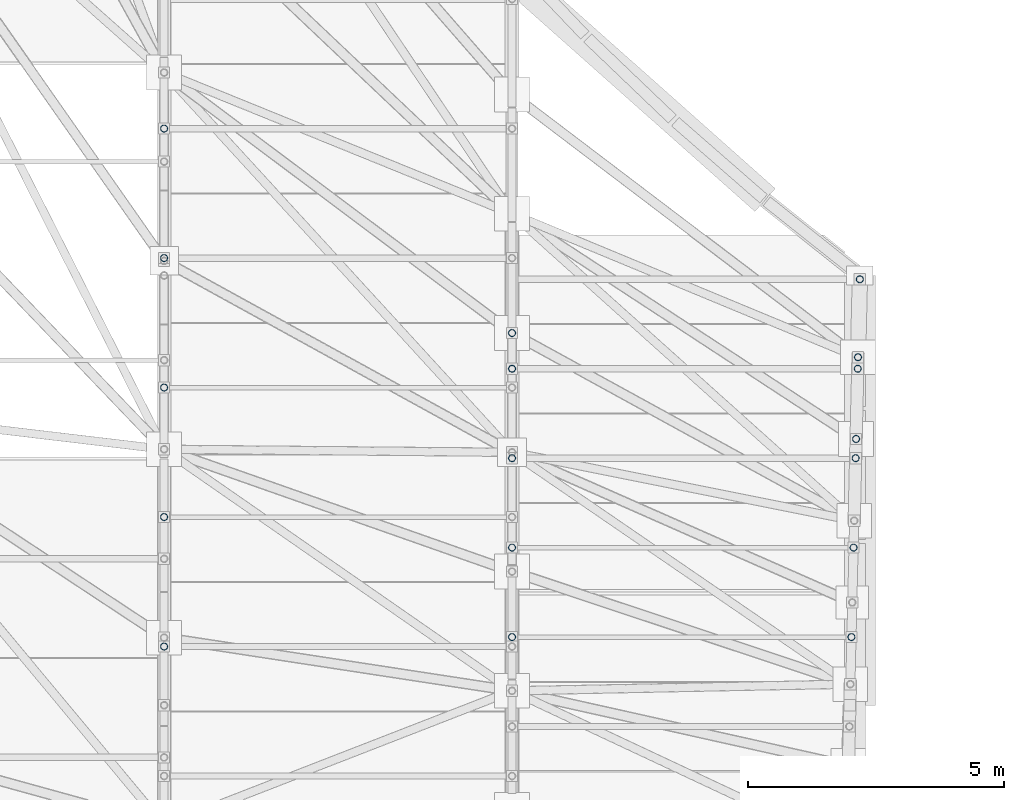
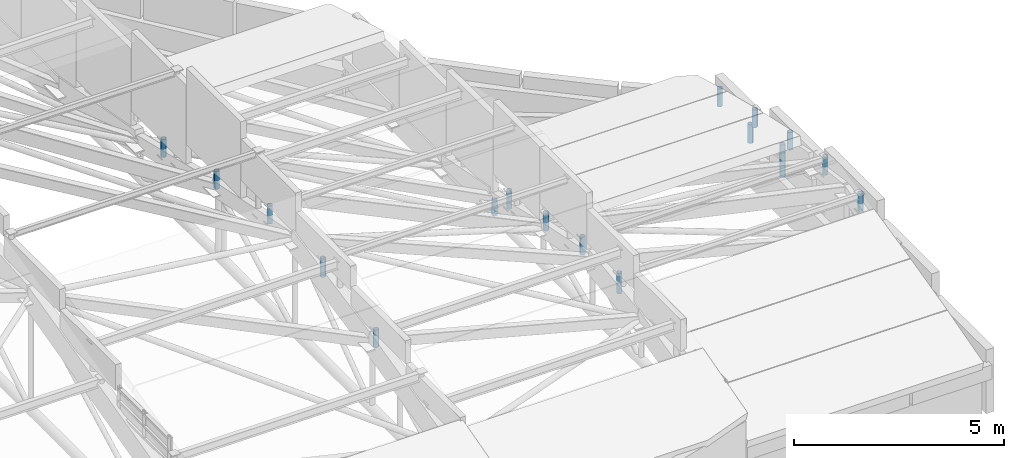
# One storey, part 133 of 188: 17 members.
"""IFC4 building model written with IfcOpenShell, lengths in metres."""

from ifc_helpers import new_model, si_unit, direction, frame, origin, origin_2d, place, context, subcontext, project, spatial, hollow_circle, extrude, material, material_profile, profile_set, type_object, element, save


model = new_model("IFC4")

# Units and contexts
model_context = context("Model", 3, precision=1e-05, world=origin(), true_north=direction((0.0, 1.0)))
body_context = subcontext(model_context, "Body", "Model", "MODEL_VIEW")
ifc_project = project(units=[si_unit("LENGTHUNIT", "METRE"), si_unit("AREAUNIT", "SQUARE_METRE"), si_unit("VOLUMEUNIT", "CUBIC_METRE"), si_unit("PLANEANGLEUNIT", "RADIAN"), si_unit("MASSUNIT", "GRAM", prefix="KILO")], contexts=[model_context])

# Site, building, storey
site_placement = place(None, origin())
site = spatial("IfcSite", under=ifc_project, at=site_placement, CompositionType="ELEMENT")
building_placement = place(site_placement, origin())
building = spatial("IfcBuilding", under=site, at=building_placement, Name="Kisaragi Civic Commons", CompositionType="ELEMENT")
storey_placement = place(building_placement, frame((0.0, 0.0, 9.60009765625)))
storey = spatial("IfcBuildingStorey", under=building, at=storey_placement, Name="L02", CompositionType="ELEMENT", Elevation=9.60009765625)

# Members
ifc_material = material(Name="Steel SN490 (SN490B)", Category="steel")
ifc_material_profile = material_profile(ifc_material, hollow_circle(Radius=0.06982421875, WallThickness=0.006103515625, at=origin_2d()), Name="CHS-139.8x6.0", Category="steel")
ifc_profile_set = profile_set([ifc_material_profile], Name="Steel SN490 (SN490B)")
member_type = type_object("IfcMemberType", Name="ST-H1", PredefinedType="STRUT", material=ifc_profile_set)
member_1_placement = place(storey_placement, frame((40.800048828125, 15.675048828125, -0.440673828125), z_axis=(0.0, 0.0, 1.0), x_axis=(1.0, 0.0, 0.0)))
element("IfcMember", 1, at=member_1_placement, inside=storey, type_object=member_type, Name="V1 arch tie hanger strut 87", PredefinedType="STRUT", context=body_context, shape_type="SweptSolid", body=[
    extrude(hollow_circle(Radius=0.06982421875, WallThickness=0.006103515625, at=origin_2d()), origin(), (0.0, 0.0, 1.0), 0.45068359375),
])
member_2_placement = place(storey_placement, frame((47.52490234375, 13.60498046875, -0.4111328125), z_axis=(0.0, 0.0, 1.0), x_axis=(1.0, 0.0, 0.0)))
element("IfcMember", 2, at=member_2_placement, inside=storey, type_object=member_type, Name="V1 arch tie hanger strut 98", PredefinedType="STRUT", context=body_context, shape_type="SweptSolid", body=[
    extrude(hollow_circle(Radius=0.06982421875, WallThickness=0.006103515625, at=origin_2d()), origin(), (0.0, 0.0, 1.0), 0.935302734375),
])
member_3_placement = place(storey_placement, frame((47.5625, 15.202392578125, -0.4111328125), z_axis=(0.0, 0.0, 1.0), x_axis=(1.0, 0.0, 0.0)))
element("IfcMember", 3, at=member_3_placement, inside=storey, type_object=member_type, Name="V1 arch tie hanger strut 99", PredefinedType="STRUT", context=body_context, shape_type="SweptSolid", body=[
    extrude(hollow_circle(Radius=0.06982421875, WallThickness=0.006103515625, at=origin_2d()), origin(), (0.0, 0.0, 1.0), 0.54248046875),
])
member_4_placement = place(storey_placement, frame((34.0, 9.547607421875, 1.830322265625), z_axis=(0.0, 0.0, 1.0), x_axis=(1.0, 0.0, 0.0)))
element("IfcMember", 4, at=member_4_placement, inside=storey, type_object=member_type, Name="V1 clerestory monitor horizontal tie strut 6.5.3", PredefinedType="STRUT", context=body_context, shape_type="SweptSolid", body=[
    extrude(hollow_circle(Radius=0.06982421875, WallThickness=0.006103515625, at=origin_2d()), origin(), (0.0, 0.0, 1.0), 0.514404296875),
])
member_5_placement = place(storey_placement, frame((34.0, 12.07861328125, 2.33984375), z_axis=(0.0, 0.0, 1.0), x_axis=(1.0, 0.0, 0.0)))
element("IfcMember", 5, at=member_5_placement, inside=storey, type_object=member_type, Name="V1 clerestory monitor horizontal tie strut 6.5.4", PredefinedType="STRUT", context=body_context, shape_type="SweptSolid", body=[
    extrude(hollow_circle(Radius=0.06982421875, WallThickness=0.006103515625, at=origin_2d()), origin(), (0.0, 0.0, 1.0), 0.537841796875),
])
member_6_placement = place(storey_placement, frame((34.0, 14.609619140625, 2.354736328125), z_axis=(0.0, 0.0, 1.0), x_axis=(1.0, 0.0, 0.0)))
element("IfcMember", 6, at=member_6_placement, inside=storey, type_object=member_type, Name="V1 clerestory monitor horizontal tie strut 6.5.5", PredefinedType="STRUT", context=body_context, shape_type="SweptSolid", body=[
    extrude(hollow_circle(Radius=0.06982421875, WallThickness=0.006103515625, at=origin_2d()), origin(), (0.0, 0.0, 1.0), 0.52294921875),
])
member_7_placement = place(storey_placement, frame((34.0, 17.140380859375, 1.83251953125), z_axis=(0.0, 0.0, 1.0), x_axis=(1.0, 0.0, 0.0)))
element("IfcMember", 7, at=member_7_placement, inside=storey, type_object=member_type, Name="V1 clerestory monitor horizontal tie strut 6.5.6", PredefinedType="STRUT", context=body_context, shape_type="SweptSolid", body=[
    extrude(hollow_circle(Radius=0.06982421875, WallThickness=0.006103515625, at=origin_2d()), origin(), (0.0, 0.0, 1.0), 0.51220703125),
])
member_8_placement = place(storey_placement, frame((34.0, 19.67138671875, 1.21826171875), z_axis=(0.0, 0.0, 1.0), x_axis=(1.0, 0.0, 0.0)))
element("IfcMember", 8, at=member_8_placement, inside=storey, type_object=member_type, Name="V1 clerestory monitor horizontal tie strut 6.5.7", PredefinedType="STRUT", context=body_context, shape_type="SweptSolid", body=[
    extrude(hollow_circle(Radius=0.06982421875, WallThickness=0.006103515625, at=origin_2d()), origin(), (0.0, 0.0, 1.0), 0.527099609375),
])
member_9_placement = place(storey_placement, frame((40.800048828125, 9.73291015625, 0.901123046875), z_axis=(0.0, 0.0, 1.0), x_axis=(1.0, 0.0, 0.0)))
element("IfcMember", 9, at=member_9_placement, inside=storey, type_object=member_type, Name="V1 clerestory monitor horizontal tie strut 7.6.4", PredefinedType="STRUT", context=body_context, shape_type="SweptSolid", body=[
    extrude(hollow_circle(Radius=0.06982421875, WallThickness=0.006103515625, at=origin_2d()), origin(), (0.0, 0.0, 1.0), 0.587646484375),
])
member_10_placement = place(storey_placement, frame((47.43408203125, 9.73291015625, 0.97509765625), z_axis=(0.0, 0.0, 1.0), x_axis=(1.0, 0.0, 0.0)))
element("IfcMember", 10, at=member_10_placement, inside=storey, type_object=member_type, Name="V1 clerestory monitor horizontal tie strut 7.7.4", PredefinedType="STRUT", context=body_context, shape_type="SweptSolid", body=[
    extrude(hollow_circle(Radius=0.06982421875, WallThickness=0.006103515625, at=origin_2d()), origin(), (0.0, 0.0, 1.0), 0.513671875),
])
member_11_placement = place(storey_placement, frame((40.800048828125, 11.481201171875, 0.97216796875), z_axis=(0.0, 0.0, 1.0), x_axis=(1.0, 0.0, 0.0)))
element("IfcMember", 11, at=member_11_placement, inside=storey, type_object=member_type, Name="V1 clerestory monitor horizontal tie strut 7.6.5", PredefinedType="STRUT", context=body_context, shape_type="SweptSolid", body=[
    extrude(hollow_circle(Radius=0.06982421875, WallThickness=0.006103515625, at=origin_2d()), origin(), (0.0, 0.0, 1.0), 0.5166015625),
])
member_12_placement = place(storey_placement, frame((47.47509765625, 11.481201171875, 0.9541015625), z_axis=(0.0, 0.0, 1.0), x_axis=(1.0, 0.0, 0.0)))
element("IfcMember", 12, at=member_12_placement, inside=storey, type_object=member_type, Name="V1 clerestory monitor horizontal tie strut 7.7.5", PredefinedType="STRUT", context=body_context, shape_type="SweptSolid", body=[
    extrude(hollow_circle(Radius=0.06982421875, WallThickness=0.006103515625, at=origin_2d()), origin(), (0.0, 0.0, 1.0), 0.53466796875),
])
member_13_placement = place(storey_placement, frame((40.800048828125, 13.2294921875, 0.60595703125), z_axis=(0.0, 0.0, 1.0), x_axis=(1.0, 0.0, 0.0)))
element("IfcMember", 13, at=member_13_placement, inside=storey, type_object=member_type, Name="V1 clerestory monitor horizontal tie strut 7.6.6", PredefinedType="STRUT", context=body_context, shape_type="SweptSolid", body=[
    extrude(hollow_circle(Radius=0.06982421875, WallThickness=0.006103515625, at=origin_2d()), origin(), (0.0, 0.0, 1.0), 0.512451171875),
])
member_14_placement = place(storey_placement, frame((47.51611328125, 13.2294921875, 0.607177734375), z_axis=(0.0, 0.0, 1.0), x_axis=(1.0, 0.0, 0.0)))
element("IfcMember", 14, at=member_14_placement, inside=storey, type_object=member_type, Name="V1 clerestory monitor horizontal tie strut 7.7.6", PredefinedType="STRUT", context=body_context, shape_type="SweptSolid", body=[
    extrude(hollow_circle(Radius=0.06982421875, WallThickness=0.006103515625, at=origin_2d()), origin(), (0.0, 0.0, 1.0), 0.51123046875),
])
member_15_placement = place(storey_placement, frame((40.800048828125, 14.9775390625, 0.18115234375), z_axis=(0.0, 0.0, 1.0), x_axis=(1.0, 0.0, 0.0)))
element("IfcMember", 15, at=member_15_placement, inside=storey, type_object=member_type, Name="V1 clerestory monitor horizontal tie strut 7.6.7", PredefinedType="STRUT", context=body_context, shape_type="SweptSolid", body=[
    extrude(hollow_circle(Radius=0.06982421875, WallThickness=0.006103515625, at=origin_2d()), origin(), (0.0, 0.0, 1.0), 0.522216796875),
])
member_16_placement = place(storey_placement, frame((47.55712890625, 14.9775390625, 0.1865234375), z_axis=(0.0, 0.0, 1.0), x_axis=(1.0, 0.0, 0.0)))
element("IfcMember", 16, at=member_16_placement, inside=storey, type_object=member_type, Name="V1 clerestory monitor horizontal tie strut 7.7.7", PredefinedType="STRUT", context=body_context, shape_type="SweptSolid", body=[
    extrude(hollow_circle(Radius=0.06982421875, WallThickness=0.006103515625, at=origin_2d()), origin(), (0.0, 0.0, 1.0), 0.516845703125),
])
member_17_placement = place(storey_placement, frame((47.598388671875, 16.725830078125, -0.281982421875), z_axis=(0.0, 0.0, 1.0), x_axis=(1.0, 0.0, 0.0)))
element("IfcMember", 17, at=member_17_placement, inside=storey, type_object=member_type, Name="V1 clerestory monitor horizontal tie strut 7.7.8", PredefinedType="STRUT", context=body_context, shape_type="SweptSolid", body=[
    extrude(hollow_circle(Radius=0.06982421875, WallThickness=0.006103515625, at=origin_2d()), origin(), (0.0, 0.0, 1.0), 0.521484375),
])

save(model, "model.ifc")
